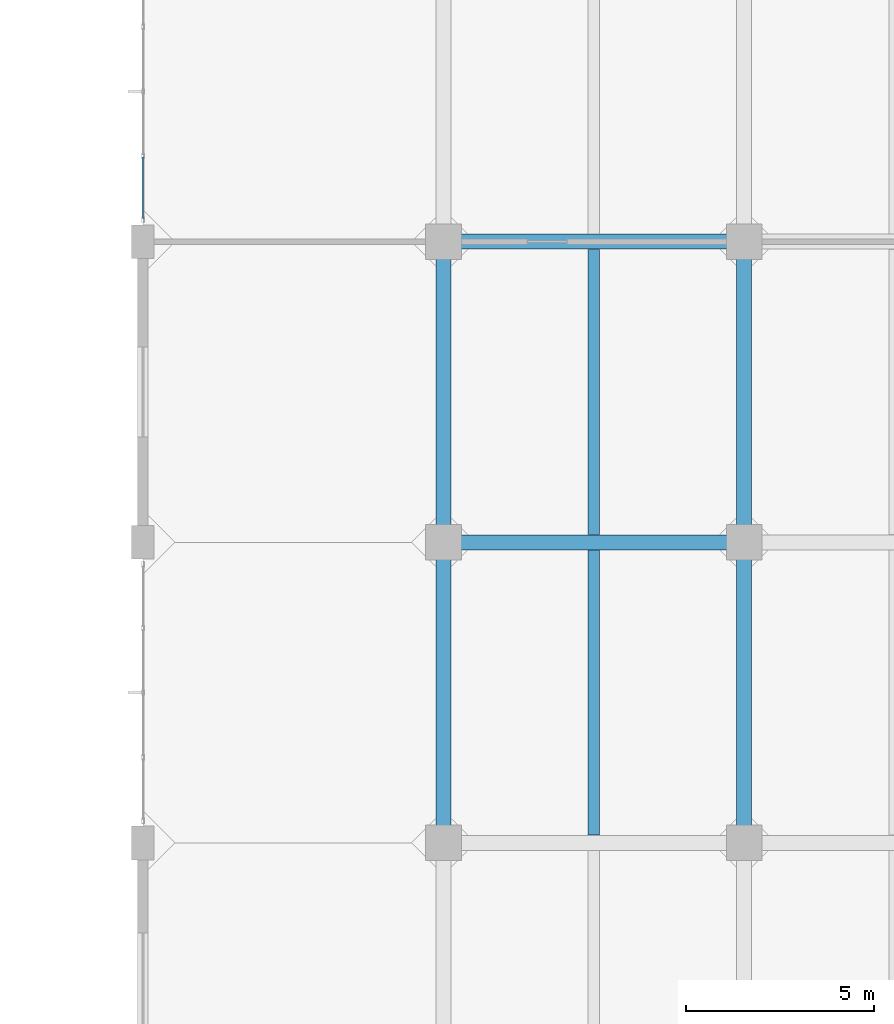
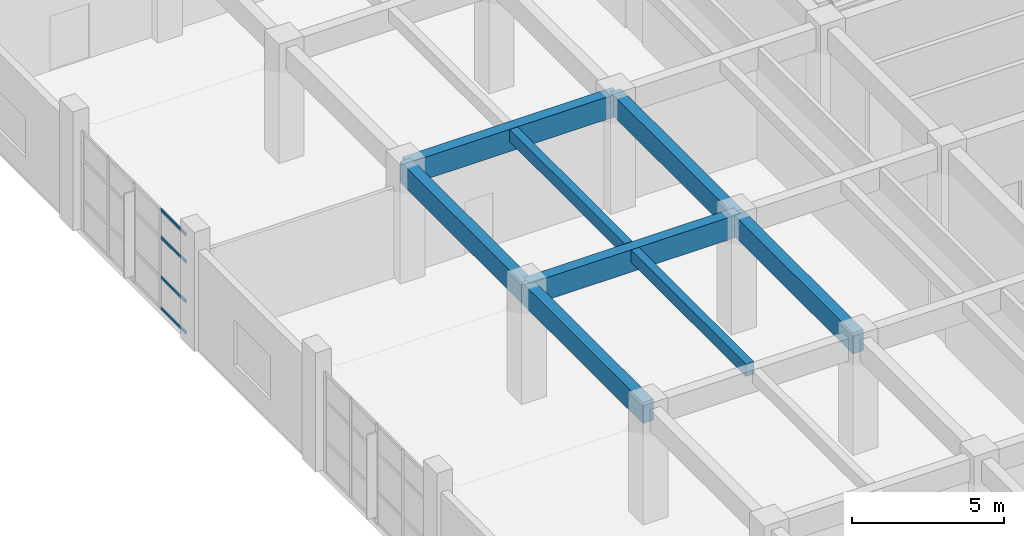
# One storey, part 17 of 63: 8 beams, 4 members, 1 element without a shape of its own.
"""IFC4 building model written with IfcOpenShell, lengths in metres."""

from ifc_helpers import new_model, si_unit, direction, frame, origin, origin_2d, place, context, subcontext, project, spatial, rectangle, hollow_rectangle, extrude, material, layer, layer_set, material_profile, profile_set, type_object, element, aggregate, save


model = new_model("IFC4")

# Units and contexts
model_context = context("Model", 3, precision=1e-05, world=origin(), true_north=direction((0.0, 1.0)))
body_context = subcontext(model_context, "Body", "Model", "MODEL_VIEW")
ifc_project = project(units=[si_unit("LENGTHUNIT", "METRE"), si_unit("AREAUNIT", "SQUARE_METRE"), si_unit("VOLUMEUNIT", "CUBIC_METRE"), si_unit("PLANEANGLEUNIT", "RADIAN"), si_unit("MASSUNIT", "GRAM", prefix="KILO")], contexts=[model_context])

# Site, building, storey
site_placement = place(None, origin())
site = spatial("IfcSite", under=ifc_project, at=site_placement, CompositionType="ELEMENT")
building_placement = place(site_placement, origin())
building = spatial("IfcBuilding", under=site, at=building_placement, Name="Canggui Botanical Conservatory", CompositionType="ELEMENT")
storey_placement = place(building_placement, frame((0.0, 0.0, 10.199951171875)))
storey = spatial("IfcBuildingStorey", under=building, at=storey_placement, Name="L03", CompositionType="ELEMENT", Elevation=10.199951171875)

# Beams
ifc_material_1 = material(Name="Concrete C35", Category="concrete")
ifc_material_profile_1 = material_profile(ifc_material_1, rectangle(XDim=0.300048828125, YDim=0.5, at=origin_2d()), Name="RB 300x500")
ifc_profile_set_1 = profile_set([ifc_material_profile_1], Name="Concrete C35")
beam_type_1 = type_object("IfcBeamType", Name="BM-JST02", PredefinedType="JOIST", material=ifc_profile_set_1)
for number, where, z_axis, x_axis, name in (
    (1, (142.0, 42.205078125, 4.300048828125), (0.0, 1.0, 0.0), (-1.0, 0.0, 0.0), "Secondary Floor Joist L03-1-3"),
    (2, (142.0, 50.205078125, 4.300048828125), (0.0, 1.0, 0.0), (-1.0, 0.0, 0.0), "Secondary Floor Joist L03-1-4"),
):
    element("IfcBeam", number, at=place(storey_placement, frame(where, z_axis=z_axis, x_axis=x_axis)), inside=storey, type_object=beam_type_1, Name=name, PredefinedType="JOIST", context=body_context, shape_type="SweptSolid", body=[
        extrude(rectangle(XDim=0.300048828125, YDim=0.5, at=origin_2d()), origin(), (0.0, 0.0, 1.0), 7.58984375),
    ])
ifc_material_profile_2 = material_profile(ifc_material_1, rectangle(XDim=0.39990234375, YDim=0.89990234375, at=origin_2d()), Name="RB 400x900")
ifc_profile_set_2 = profile_set([ifc_material_profile_2], Name="Concrete C35")
beam_type_2 = type_object("IfcBeamType", Name="BM-KL07", PredefinedType="BEAM", material=ifc_profile_set_2)
for number, where, z_axis, x_axis, name in (
    (3, (138.0, 50.0, 4.10009765625), (1.0, 0.0, 0.0), (0.0, 1.0, 0.0), "Frame Girder L03 Y50-1"),
    (4, (138.0, 58.0, 4.10009765625), (1.0, 0.0, 0.0), (0.0, 1.0, 0.0), "Frame Girder L03 Y58-1"),
):
    element("IfcBeam", number, at=place(storey_placement, frame(where, z_axis=z_axis, x_axis=x_axis)), inside=storey, type_object=beam_type_2, Name=name, PredefinedType="BEAM", context=body_context, shape_type="SweptSolid", body=[
        extrude(rectangle(XDim=0.39990234375, YDim=0.89990234375, at=origin_2d()), origin(), (0.0, 0.0, 1.0), 8.0),
    ])
ifc_material_profile_3 = material_profile(ifc_material_1, rectangle(XDim=0.39990234375, YDim=0.85009765625, at=origin_2d()), Name="RB 400x850")
ifc_profile_set_3 = profile_set([ifc_material_profile_3], Name="Concrete C35")
beam_type_3 = type_object("IfcBeamType", Name="BM-KL08", PredefinedType="BEAM", material=ifc_profile_set_3)
for number, where, z_axis, x_axis, name in (
    (5, (138.0, 42.0, 4.125), (0.0, 1.0, 0.0), (-1.0, 0.0, 0.0), "Frame Girder L03 X138-3"),
    (6, (138.0, 50.0, 4.125), (0.0, 1.0, 0.0), (-1.0, 0.0, 0.0), "Frame Girder L03 X138-4"),
    (7, (146.0, 42.0, 4.125), (0.0, 1.0, 0.0), (-1.0, 0.0, 0.0), "Frame Girder L03 X146-3"),
    (8, (146.0, 50.0, 4.125), (0.0, 1.0, 0.0), (-1.0, 0.0, 0.0), "Frame Girder L03 X146-4"),
):
    element("IfcBeam", number, at=place(storey_placement, frame(where, z_axis=z_axis, x_axis=x_axis)), inside=storey, type_object=beam_type_3, Name=name, PredefinedType="BEAM", context=body_context, shape_type="SweptSolid", body=[
        extrude(rectangle(XDim=0.39990234375, YDim=0.85009765625, at=origin_2d()), origin(), (0.0, 0.0, 1.0), 8.0),
    ])

# Curtain wall, members
ifc_material_2 = material(Name="Thermally Broken Aluminium", Category="aluminium")
ifc_layer = layer(ifc_material_2, 0.14990234375, Name="Thermally Broken Aluminium", Category="aluminium")
ifc_layer_set = layer_set([ifc_layer], Name="Thermally Broken Aluminium")
curtain_wall_type = type_object("IfcCurtainWallType", Name="CW-UNIT-C", PredefinedType="USERDEFINED", material=ifc_layer_set)
curtain_wall_placement = place(storey_placement, origin())
curtain_wall = element("IfcCurtainWall", 9, at=curtain_wall_placement, inside=storey, type_object=curtain_wall_type, Name="Facade Curtain Wall CW-TWR-L03-11", ObjectType="UNITISED CURTAIN WALL", PredefinedType="USERDEFINED")
ifc_material_profile_4 = material_profile(ifc_material_2, hollow_rectangle(XDim=0.054931640625, YDim=0.110107421875, WallThickness=0.0029296875, at=origin_2d()), Name="CWT 55x110x3")
ifc_profile_set_4 = profile_set([ifc_material_profile_4], Name="Thermally Broken Aluminium")
member_type = type_object("IfcMemberType", Name="CWT-03", PredefinedType="USERDEFINED", material=ifc_profile_set_4)
member_1_placement = place(storey_placement, frame((130.0, 58.6201171875, 0.027587890625), z_axis=(0.0, 1.0, 0.0), x_axis=(-1.0, 0.0, 0.0)))
member_1 = element("IfcMember", 10, at=member_1_placement, type_object=member_type, Name="CW-03 transom 1.1", ObjectType="TRANSOM", PredefinedType="USERDEFINED", context=body_context, shape_type="SweptSolid", body=[
    extrude(hollow_rectangle(XDim=0.054931640625, YDim=0.110107421875, WallThickness=0.0029296875, at=origin_2d()), origin(), (0.0, 0.0, 1.0), 1.6298828125),
])
member_2_placement = place(storey_placement, frame((130.0, 58.6201171875, 1.280029296875), z_axis=(0.0, 1.0, 0.0), x_axis=(-1.0, 0.0, 0.0)))
member_2 = element("IfcMember", 11, at=member_2_placement, type_object=member_type, Name="CW-03 transom 1.2", ObjectType="TRANSOM", PredefinedType="USERDEFINED", context=body_context, shape_type="SweptSolid", body=[
    extrude(hollow_rectangle(XDim=0.054931640625, YDim=0.110107421875, WallThickness=0.0029296875, at=origin_2d()), origin(), (0.0, 0.0, 1.0), 1.6298828125),
])
member_3_placement = place(storey_placement, frame((130.0, 58.6201171875, 2.880126953125), z_axis=(0.0, 1.0, 0.0), x_axis=(-1.0, 0.0, 0.0)))
member_3 = element("IfcMember", 12, at=member_3_placement, type_object=member_type, Name="CW-03 transom 1.3", ObjectType="TRANSOM", PredefinedType="USERDEFINED", context=body_context, shape_type="SweptSolid", body=[
    extrude(hollow_rectangle(XDim=0.054931640625, YDim=0.110107421875, WallThickness=0.0029296875, at=origin_2d()), origin(), (0.0, 0.0, 1.0), 1.6298828125),
])
member_4_placement = place(storey_placement, frame((130.0, 58.6201171875, 3.97265625), z_axis=(0.0, 1.0, 0.0), x_axis=(-1.0, 0.0, 0.0)))
member_4 = element("IfcMember", 13, at=member_4_placement, type_object=member_type, Name="CW-03 transom 1.4", ObjectType="TRANSOM", PredefinedType="USERDEFINED", context=body_context, shape_type="SweptSolid", body=[
    extrude(hollow_rectangle(XDim=0.054931640625, YDim=0.110107421875, WallThickness=0.0029296875, at=origin_2d()), origin(), (0.0, 0.0, 1.0), 1.6298828125),
])
aggregate(curtain_wall, [member_1, member_2, member_3, member_4])

save(model, "model.ifc")
